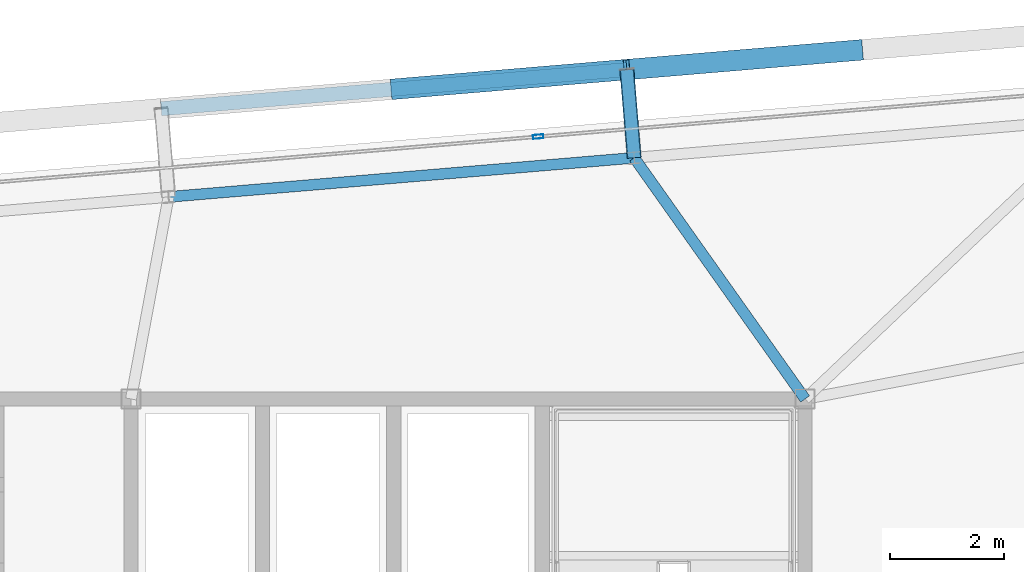
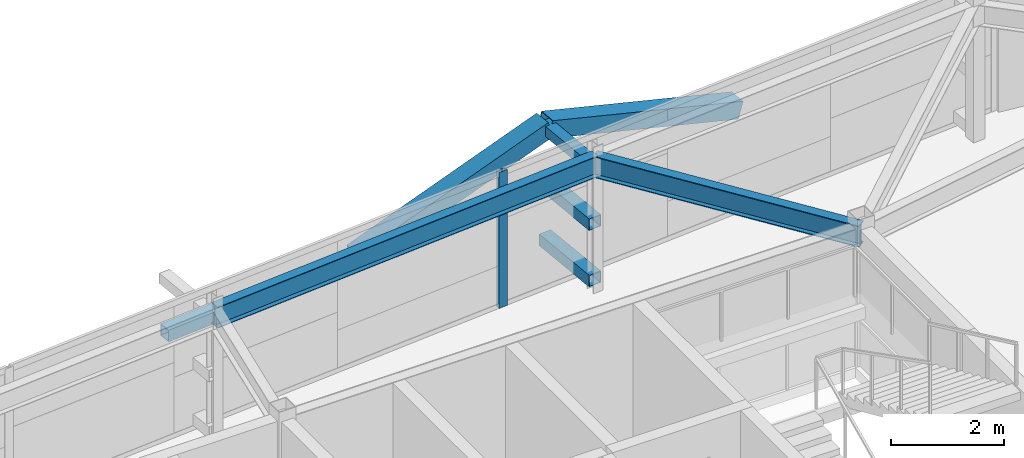
# One storey, part 24 of 39: 7 members, 2 beams, 1 element without a shape of its own.
"""IFC4 building model written with IfcOpenShell, lengths in metres."""

from ifc_helpers import new_model, si_unit, direction, frame, origin, origin_2d, place, context, subcontext, project, spatial, hollow_rectangle, i_section, extrude, source, transform, mapped, material, layer, layer_set, material_profile, profile_set, type_object, element, aggregate, save


model = new_model("IFC4")

# Units and contexts
model_context = context("Model", 3, precision=1e-05, world=origin(), true_north=direction((0.0, 1.0)))
body_context = subcontext(model_context, "Body", "Model", "MODEL_VIEW")
ifc_project = project(units=[si_unit("LENGTHUNIT", "METRE"), si_unit("AREAUNIT", "SQUARE_METRE"), si_unit("VOLUMEUNIT", "CUBIC_METRE"), si_unit("PLANEANGLEUNIT", "RADIAN"), si_unit("MASSUNIT", "GRAM", prefix="KILO")], contexts=[model_context])

# Site, building, storey
site_placement = place(None, origin())
site = spatial("IfcSite", under=ifc_project, at=site_placement, CompositionType="ELEMENT")
building_placement = place(site_placement, origin())
building = spatial("IfcBuilding", under=site, at=building_placement, Name="Taldren Reach Tower", CompositionType="ELEMENT")
storey_placement = place(building_placement, frame((0.0, 0.0, 175.699951171875)))
storey = spatial("IfcBuildingStorey", under=building, at=storey_placement, Name="L53", CompositionType="ELEMENT", Elevation=175.699951171875)

# Members
ifc_material_1 = material(Name="Steel Gr 350 (C350L0)", Category="steel")
ifc_material_profile_1 = material_profile(ifc_material_1, hollow_rectangle(XDim=0.25, YDim=0.25, WallThickness=0.010009765625, at=origin_2d()), Name="250x250x10.0SHS")
ifc_profile_set_1 = profile_set([ifc_material_profile_1], Name="Steel Gr 350 (C350L0)")
member_type_1 = type_object("IfcMemberType", Name="MB-POST250", PredefinedType="POST", material=ifc_profile_set_1)
shared_shape_1 = source(origin(), body_context, "Body", "SweptSolid", [
    extrude(hollow_rectangle(XDim=0.25, YDim=0.25, WallThickness=0.010009765625, at=origin_2d()), origin(), (0.0, 0.0, 1.0), 1.550048828125),
])
for number, where, z_axis, x_axis, name in (
    (1, (48.009033203125, 36.221435546875, 0.219970703125), (-0.083632013783, 0.996496706603, 0.0), (-0.996496706603, -0.083632013783, 0.0), "Exoskeleton base diaphragm tie strut B4-N5 L53"),
    (2, (48.009033203125, 36.221435546875, 1.43505859375), (-0.083632013783, 0.996496706603, 0.0), (-0.996496706603, -0.083632013783, 0.0), "Exoskeleton mid-tier diaphragm tie B4-N5 L53"),
):
    element("IfcMember", number, at=place(storey_placement, frame(where, z_axis=z_axis, x_axis=x_axis)), inside=storey, type_object=member_type_1, Name=name, PredefinedType="POST", context=body_context, shape_type="MappedRepresentation", body=[
        mapped(shared_shape_1, transform((0.0, 0.0, 0.0), scale=1.0)),
    ])

# Beams
ifc_material_2 = material(Name="Steel Gr 350 (350PLUS)", Category="steel")
ifc_material_profile_2 = material_profile(ifc_material_2, i_section(OverallWidth=0.18994140625, OverallDepth=0.4541015625, WebThickness=0.008544921875, FlangeThickness=0.0126953125, at=origin_2d()), Name="460UB67.1")
ifc_profile_set_2 = profile_set([ifc_material_profile_2], Name="Steel Gr 350 (350PLUS)")
beam_type_1 = type_object("IfcBeamType", Name="SP-UB460B", PredefinedType="SPANDREL", material=ifc_profile_set_2)
shared_shape_2 = source(origin(), body_context, "Body", "SweptSolid", [
    extrude(i_section(OverallWidth=0.18994140625, OverallDepth=0.4541015625, WebThickness=0.008544921875, FlangeThickness=0.0126953125, at=origin_2d()), origin(), (0.0, 0.0, 1.0), 8.179931640625),
])
beam_1_placement = place(storey_placement, frame((48.009033203125, 36.221435546875, 2.703125), z_axis=(-0.996494523218, -0.083658025296, 0.0), x_axis=(0.083658025296, -0.996494523218, 0.0)))
element("IfcBeam", 3, at=beam_1_placement, inside=storey, type_object=beam_type_1, Name="Perimeter spandrel B4 N5-N4 L53", PredefinedType="SPANDREL", context=body_context, shape_type="MappedRepresentation", body=[
    mapped(shared_shape_2, transform((0.0, 0.0, 0.0), scale=1.0)),
])
ifc_material_profile_3 = material_profile(ifc_material_2, i_section(OverallWidth=0.19091796875, OverallDepth=0.4599609375, WebThickness=0.010009765625, FlangeThickness=0.01611328125, at=origin_2d()), Name="460UB82.1")
ifc_profile_set_3 = profile_set([ifc_material_profile_3], Name="Steel Gr 350 (350PLUS)")
beam_type_2 = type_object("IfcBeamType", Name="BM-UB460A", PredefinedType="BEAM", material=ifc_profile_set_3)
shared_shape_3 = source(origin(), body_context, "Body", "SweptSolid", [
    extrude(i_section(OverallWidth=0.19091796875, OverallDepth=0.4599609375, WebThickness=0.010009765625, FlangeThickness=0.01611328125, at=origin_2d()), origin(), (0.0, 0.0, 1.0), 5.173583984375),
])
beam_2_placement = place(storey_placement, frame((51.0, 32.0, 2.699951171875), z_axis=(-0.578118152709, 0.8159530633, 0.0), x_axis=(-0.8159530633, -0.578118152709, 0.0)))
element("IfcBeam", 4, at=beam_2_placement, inside=storey, type_object=beam_type_2, Name="Primary floor girder B4-N5 L53", PredefinedType="BEAM", context=body_context, shape_type="MappedRepresentation", body=[
    mapped(shared_shape_3, transform((0.0, 0.0, 0.0), scale=1.0)),
])

# Members
ifc_material_3 = material(Name="Steel Gr 450 (C450L0)", Category="steel")
ifc_material_profile_4 = material_profile(ifc_material_3, hollow_rectangle(XDim=0.219970703125, YDim=0.219970703125, WallThickness=0.00830078125, at=origin_2d()), Name="220x220x8.2SHS")
ifc_profile_set_4 = profile_set([ifc_material_profile_4], Name="Steel Gr 450 (C450L0)")
member_type_2 = type_object("IfcMemberType", Name="MB-TIE219", PredefinedType="STRUT", material=ifc_profile_set_4)
shared_shape_4 = source(origin(), body_context, "Body", "SweptSolid", [
    extrude(hollow_rectangle(XDim=0.219970703125, YDim=0.219970703125, WallThickness=0.00830078125, at=origin_2d()), origin(), (0.0, 0.0, 1.0), 1.550048828125),
])
member_1_placement = place(storey_placement, frame((48.009033203125, 36.221435546875, 2.650146484375), z_axis=(-0.083632013783, 0.996496706603, 0.0), x_axis=(-0.996496706603, -0.083632013783, 0.0)))
element("IfcMember", 5, at=member_1_placement, inside=storey, type_object=member_type_2, Name="Exoskeleton diaphragm tie strut B4-N5 L53", PredefinedType="STRUT", context=body_context, shape_type="MappedRepresentation", body=[
    mapped(shared_shape_4, transform((0.0, 0.0, 0.0), scale=1.0)),
])
shared_shape_5 = source(origin(), body_context, "Body", "SweptSolid", [
    extrude(hollow_rectangle(XDim=0.25, YDim=0.25, WallThickness=0.010009765625, at=origin_2d()), origin(), (0.0, 0.0, 1.0), 8.18017578125),
])
member_2_placement = place(storey_placement, frame((39.72802734375, 37.08154296875, 1.43505859375), z_axis=(0.996492034688, 0.083687662192, 0.0), x_axis=(-0.083687662192, 0.996492034688, 0.0)))
element("IfcMember", 6, at=member_2_placement, inside=storey, type_object=member_type_1, Name="Exoskeleton mid-height ring chord B4-N4 L53", PredefinedType="POST", context=body_context, shape_type="MappedRepresentation", body=[
    mapped(shared_shape_5, transform((0.0, 0.0, 0.0), scale=1.0)),
])
ifc_material_profile_5 = material_profile(ifc_material_3, hollow_rectangle(XDim=0.360107421875, YDim=0.360107421875, WallThickness=0.0126953125, at=origin_2d()), Name="360x360x12.7SHS")
ifc_profile_set_5 = profile_set([ifc_material_profile_5], Name="Steel Gr 450 (C450L0)")
member_type_3 = type_object("IfcMemberType", Name="MB-EXO356", PredefinedType="BRACE", material=ifc_profile_set_5)
shared_shape_6 = source(origin(), body_context, "Body", "SweptSolid", [
    extrude(hollow_rectangle(XDim=0.360107421875, YDim=0.360107421875, WallThickness=0.0126953125, at=origin_2d()), origin(), (0.0, 0.0, 1.0), 4.2666015625),
])
for number, where, z_axis, x_axis, name in (
    (7, (43.8037109375, 37.423828125, 1.43505859375), (0.955229159097, 0.080222312271, 0.284783486572), (-0.083687662192, 0.996492034688, 0.0), "Exoskeleton Diagrid Brace B4-N4 L53"),
    (8, (51.955078125, 38.1083984375, 1.43505859375), (-0.955229159097, -0.080222312271, 0.284783486572), (0.083687662192, -0.996492034688, 0.0), "Exoskeleton Diagrid Brace B4-N5 L53"),
):
    element("IfcMember", number, at=place(storey_placement, frame(where, z_axis=z_axis, x_axis=x_axis)), inside=storey, type_object=member_type_3, Name=name, PredefinedType="BRACE", context=body_context, shape_type="MappedRepresentation", body=[
        mapped(shared_shape_6, transform((0.0, 0.0, 0.0), scale=1.0)),
    ])

# Curtain wall, member
ifc_material_4 = material(Name="Aluminium and Low-E Glass Unitised System", Category="aluminium")
ifc_layer = layer(ifc_material_4, 0.159912109375)
ifc_layer_set = layer_set([ifc_layer], Name="Aluminium and Low-E Glass Unitised System")
curtain_wall_type = type_object("IfcCurtainWallType", Name="CW-SYS-5", PredefinedType="NOTDEFINED", material=ifc_layer_set)
curtain_wall_placement = place(storey_placement, origin())
curtain_wall = element("IfcCurtainWall", 9, at=curtain_wall_placement, inside=storey, type_object=curtain_wall_type, Name="Unitised curtain wall CW-L53-N", PredefinedType="NOTDEFINED")
ifc_material_5 = material(Name="Anodised Aluminium 6063-T6", Category="aluminium")
ifc_material_profile_6 = material_profile(ifc_material_5, hollow_rectangle(XDim=0.070068359375, YDim=0.179931640625, WallThickness=0.00390625, at=origin_2d()), Name="ALU-180x70x4RHS")
ifc_profile_set_6 = profile_set([ifc_material_profile_6], Name="Anodised Aluminium 6063-T6")
member_type_4 = type_object("IfcMemberType", Name="CW-MUL-180", PredefinedType="MULLION", material=ifc_profile_set_6)
shared_shape_7 = source(origin(), body_context, "Body", "SweptSolid", [
    extrude(hollow_rectangle(XDim=0.070068359375, YDim=0.179931640625, WallThickness=0.00390625, at=origin_2d()), origin(), (0.0, 0.0, 1.0), 2.929931640625),
])
member_3_placement = place(storey_placement, frame((46.3271484375, 36.592041015625, 0.0), z_axis=(0.0, 0.0, 1.0), x_axis=(0.083677875247, -0.99649285657, 0.0)))
member_3 = element("IfcMember", 10, at=member_3_placement, type_object=member_type_4, Name="CW-5 mullion 2", PredefinedType="MULLION", context=body_context, shape_type="MappedRepresentation", body=[
    mapped(shared_shape_7, transform((0.0, 0.0, 0.0), scale=1.0)),
])
aggregate(curtain_wall, [member_3])

save(model, "model.ifc")
